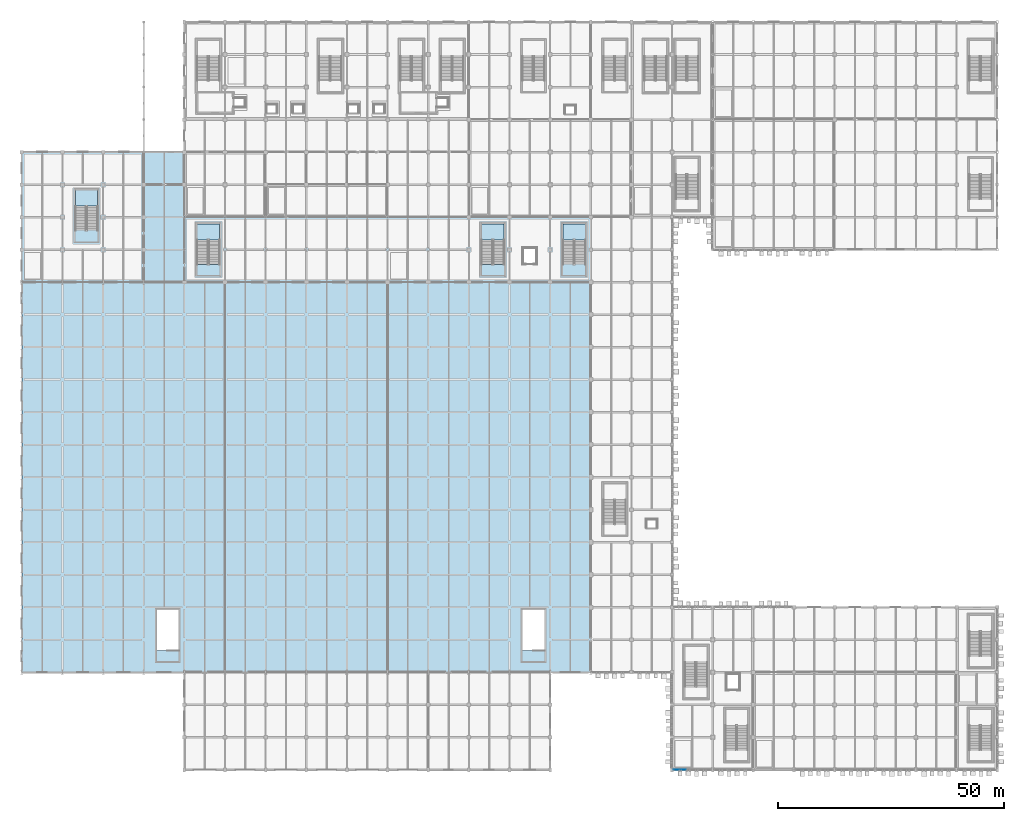
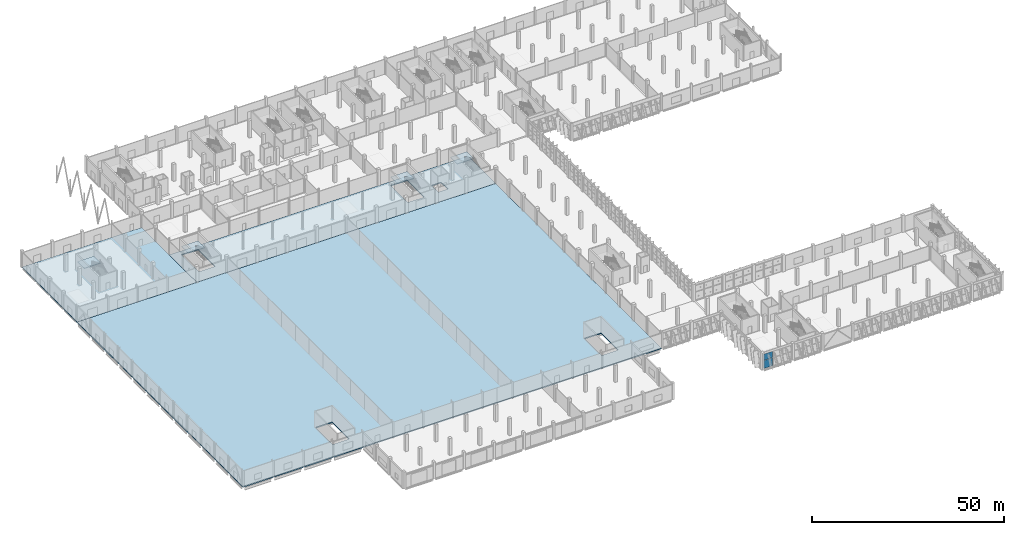
# One storey, part 72 of 137: 7 slabs, 2 plates, 5 elements without a shape of their own.
"""IFC4 building model written with IfcOpenShell, lengths in metres."""

from ifc_helpers import new_model, si_unit, direction, frame, origin, origin_2d, place, context, subcontext, project, spatial, polyline, rectangle, outline, extrude, material, layer, layer_set, type_object, element, aggregate, save


model = new_model("IFC4")

# Units and contexts
model_context = context("Model", 3, precision=1e-05, world=origin(), true_north=direction((0.0, 1.0)))
body_context = subcontext(model_context, "Body", "Model", "MODEL_VIEW")
ifc_project = project(units=[si_unit("LENGTHUNIT", "METRE"), si_unit("AREAUNIT", "SQUARE_METRE"), si_unit("VOLUMEUNIT", "CUBIC_METRE"), si_unit("PLANEANGLEUNIT", "RADIAN"), si_unit("MASSUNIT", "GRAM", prefix="KILO")], contexts=[model_context])

# Site, building, storey
site_placement = place(None, origin())
site = spatial("IfcSite", under=ifc_project, at=site_placement, CompositionType="ELEMENT")
building_placement = place(site_placement, origin())
building = spatial("IfcBuilding", under=site, at=building_placement, Name="Celestram Park Convention Centre", CompositionType="ELEMENT")
storey_placement = place(building_placement, origin())
storey = spatial("IfcBuildingStorey", under=building, at=storey_placement, Name="L00", CompositionType="ELEMENT", Elevation=0.0)

# Curtain wall, plates
ifc_material_1 = material(Name="Anodised Aluminium Alloy 6063-T6", Category="aluminium")
ifc_layer_1 = layer(ifc_material_1, 0.179931640625)
ifc_layer_set_1 = layer_set([ifc_layer_1], Name="Anodised Aluminium Alloy 6063-T6")
curtain_wall_type = type_object("IfcCurtainWallType", Name="ARC-CW-840X475", PredefinedType="NOTDEFINED", material=ifc_layer_set_1)
curtain_wall_placement = place(storey_placement, origin())
curtain_wall = element("IfcCurtainWall", 1, at=curtain_wall_placement, inside=storey, type_object=curtain_wall_type, Name="Unitised curtain wall CU-L00-032", PredefinedType="NOTDEFINED")
ifc_material_2 = material(Name="Insulated Glazing Unit 38 mm", Category="glass")
ifc_layer_2 = layer(ifc_material_2, 0.0380859375)
ifc_layer_set_2 = layer_set([ifc_layer_2], Name="Insulated Glazing Unit 38 mm")
plate_type = type_object("IfcPlateType", Name="ARC-CWP-IGU38", PredefinedType="CURTAIN_PANEL", material=ifc_layer_set_2)
plate_1_placement = place(storey_placement, frame((145.717529296875, 0.0, 0.06494140625), z_axis=(0.0, 0.0, 1.0), x_axis=(-1.0, 0.0, 0.0)))
plate_1 = element("IfcPlate", 2, at=plate_1_placement, type_object=plate_type, Name="CW-84X47 panel 3.1", PredefinedType="CURTAIN_PANEL", context=body_context, shape_type="SweptSolid", body=[
    extrude(rectangle(XDim=2.688720703125, YDim=0.0380859375, at=origin_2d()), origin(), (0.0, 0.0, 1.0), 2.552490234375),
])
plate_2_placement = place(storey_placement, frame((145.717529296875, 0.0, 2.682373046875), z_axis=(0.0, 0.0, 1.0), x_axis=(-1.0, 0.0, 0.0)))
plate_2 = element("IfcPlate", 3, at=plate_2_placement, type_object=plate_type, Name="CW-84X47 panel 3.2", PredefinedType="CURTAIN_PANEL", context=body_context, shape_type="SweptSolid", body=[
    extrude(rectangle(XDim=2.688720703125, YDim=0.0380859375, at=origin_2d()), origin(), (0.0, 0.0, 1.0), 1.99951171875),
])
aggregate(curtain_wall, [plate_1, plate_2])

# Slabs
ifc_material_3 = material(Name="Concrete C35/45", Category="concrete")
ifc_layer_3 = layer(ifc_material_3, 0.320068359375)
ifc_layer_set_3 = layer_set([ifc_layer_3], Name="Concrete C35/45")
slab_type_1 = type_object("IfcSlabType", Name="STR-SLB-DCK320", PredefinedType="FLOOR", material=ifc_layer_set_3)
slab_1_placement = place(storey_placement, frame((0.0, 0.0, -0.320068359375)))
element("IfcSlab", 4, at=slab_1_placement, inside=storey, type_object=slab_type_1, Name="Floor slab L00-WPV", PredefinedType="FLOOR", context=body_context, shape_type="SweptSolid", body=[
    extrude(outline(polyline([(0.0, 108.0), (0.0, 136.800048828125), (36.0, 136.800048828125), (36.0, 108.0), (0.0, 108.0)])), origin(), (0.0, 0.0, 1.0), 0.320068359375),
])
slab_2_placement = place(storey_placement, frame((0.0, 0.0, -0.320068359375)))
element("IfcSlab", 5, at=slab_2_placement, inside=storey, type_object=slab_type_1, Name="Floor slab L00-CNC", PredefinedType="FLOOR", context=body_context, shape_type="SweptSolid", body=[
    extrude(outline(polyline([(36.0, 108.0), (36.0, 122.39990234375), (126.0, 122.39990234375), (126.0, 108.0), (36.0, 108.0)]), holes=[polyline([(43.800048828125, 120.89990234375), (38.840087890625, 120.89990234375), (38.840087890625, 111.906005859375), (43.800048828125, 111.906005859375), (43.800048828125, 120.89990234375)]), polyline([(111.050048828125, 112.050048828125), (113.949951171875, 112.050048828125), (113.949951171875, 115.550048828125), (111.050048828125, 115.550048828125), (111.050048828125, 112.050048828125)]), polyline([(106.800048828125, 111.906005859375), (106.800048828125, 120.89990234375), (101.840087890625, 120.89990234375), (101.840087890625, 111.906005859375), (106.800048828125, 111.906005859375)])]), origin(), (0.0, 0.0, 1.0), 0.320068359375),
])
ifc_layer_4 = layer(ifc_material_3, 0.360107421875)
ifc_layer_set_4 = layer_set([ifc_layer_4], Name="Concrete C35/45")
slab_type_2 = type_object("IfcSlabType", Name="STR-SLB-EXH360", PredefinedType="FLOOR", material=ifc_layer_set_4)
slab_3_placement = place(storey_placement, frame((0.0, 0.0, -0.360107421875)))
element("IfcSlab", 6, at=slab_3_placement, inside=storey, type_object=slab_type_2, Name="Floor slab L00-EXH", PredefinedType="FLOOR", context=body_context, shape_type="SweptSolid", body=[
    extrude(outline(polyline([(0.0, 21.60009765625), (0.0, 108.0), (126.0, 108.0), (126.0, 21.60009765625), (0.0, 21.60009765625)]), holes=[polyline([(34.800048828125, 35.39990234375), (29.840087890625, 35.39990234375), (29.840087890625, 26.406005859375), (34.800048828125, 26.406005859375), (34.800048828125, 35.39990234375)]), polyline([(115.800048828125, 26.406005859375), (115.800048828125, 35.39990234375), (110.840087890625, 35.39990234375), (110.840087890625, 26.406005859375), (115.800048828125, 26.406005859375)])]), origin(), (0.0, 0.0, 1.0), 0.360107421875),
])

# Stair, slab
ifc_material_4 = material(Name="Precast Concrete C40/50", Category="concrete")
stair_type = type_object("IfcStairType", Name="ARC-STR-DOG54", PredefinedType="HALF_TURN_STAIR", material=ifc_material_4)
stair_1_placement = place(storey_placement, origin())
stair_1 = element("IfcStair", 7, at=stair_1_placement, inside=storey, type_object=stair_type, Name="L00 Core C3 stair ST-03", PredefinedType="HALF_TURN_STAIR")
ifc_layer_5 = layer(ifc_material_3, 0.199951171875)
ifc_layer_set_5 = layer_set([ifc_layer_5], Name="Concrete C35/45")
slab_type_3 = type_object("IfcSlabType", Name="STR-SLB-LND200", PredefinedType="LANDING", material=ifc_layer_set_5)
slab_4_placement = place(storey_placement, frame((0.0, 0.0, 2.5)))
slab_4 = element("IfcSlab", 8, at=slab_4_placement, type_object=slab_type_3, Name="ST-03 landing 1", PredefinedType="LANDING", context=body_context, shape_type="SweptSolid", body=[
    extrude(outline(polyline([(106.800048828125, 117.333984375), (106.800048828125, 120.89990234375), (101.840087890625, 120.89990234375), (101.840087890625, 117.333984375), (106.800048828125, 117.333984375)])), origin(), (0.0, 0.0, 1.0), 0.199951171875),
])
aggregate(stair_1, [slab_4])

stair_2_placement = place(storey_placement, origin())
stair_2 = element("IfcStair", 9, at=stair_2_placement, inside=storey, type_object=stair_type, Name="L00 Core S13 stair ST-13", PredefinedType="HALF_TURN_STAIR")
slab_5_placement = place(storey_placement, frame((0.0, 0.0, 2.5)))
slab_5 = element("IfcSlab", 10, at=slab_5_placement, type_object=slab_type_3, Name="ST-13 landing 1", PredefinedType="LANDING", context=body_context, shape_type="SweptSolid", body=[
    extrude(outline(polyline([(43.800048828125, 117.333984375), (43.800048828125, 120.89990234375), (38.840087890625, 120.89990234375), (38.840087890625, 117.333984375), (43.800048828125, 117.333984375)])), origin(), (0.0, 0.0, 1.0), 0.199951171875),
])
aggregate(stair_2, [slab_5])

stair_3_placement = place(storey_placement, origin())
stair_3 = element("IfcStair", 11, at=stair_3_placement, inside=storey, type_object=stair_type, Name="L00 Core S15 stair ST-15", PredefinedType="HALF_TURN_STAIR")
slab_6_placement = place(storey_placement, frame((0.0, 0.0, 2.5)))
slab_6 = element("IfcSlab", 12, at=slab_6_placement, type_object=slab_type_3, Name="ST-15 landing 1", PredefinedType="LANDING", context=body_context, shape_type="SweptSolid", body=[
    extrude(outline(polyline([(16.800048828125, 124.833984375), (16.800048828125, 128.39990234375), (11.840087890625, 128.39990234375), (11.840087890625, 124.833984375), (16.800048828125, 124.833984375)])), origin(), (0.0, 0.0, 1.0), 0.199951171875),
])
aggregate(stair_3, [slab_6])

stair_4_placement = place(storey_placement, origin())
stair_4 = element("IfcStair", 13, at=stair_4_placement, inside=storey, type_object=stair_type, Name="L00 Core S20 stair ST-20", PredefinedType="HALF_TURN_STAIR")
slab_7_placement = place(storey_placement, frame((0.0, 0.0, 2.5)))
slab_7 = element("IfcSlab", 14, at=slab_7_placement, type_object=slab_type_3, Name="ST-20 landing 1", PredefinedType="LANDING", context=body_context, shape_type="SweptSolid", body=[
    extrude(outline(polyline([(124.800048828125, 117.333984375), (124.800048828125, 120.89990234375), (119.840087890625, 120.89990234375), (119.840087890625, 117.333984375), (124.800048828125, 117.333984375)])), origin(), (0.0, 0.0, 1.0), 0.199951171875),
])
aggregate(stair_4, [slab_7])

save(model, "model.ifc")
